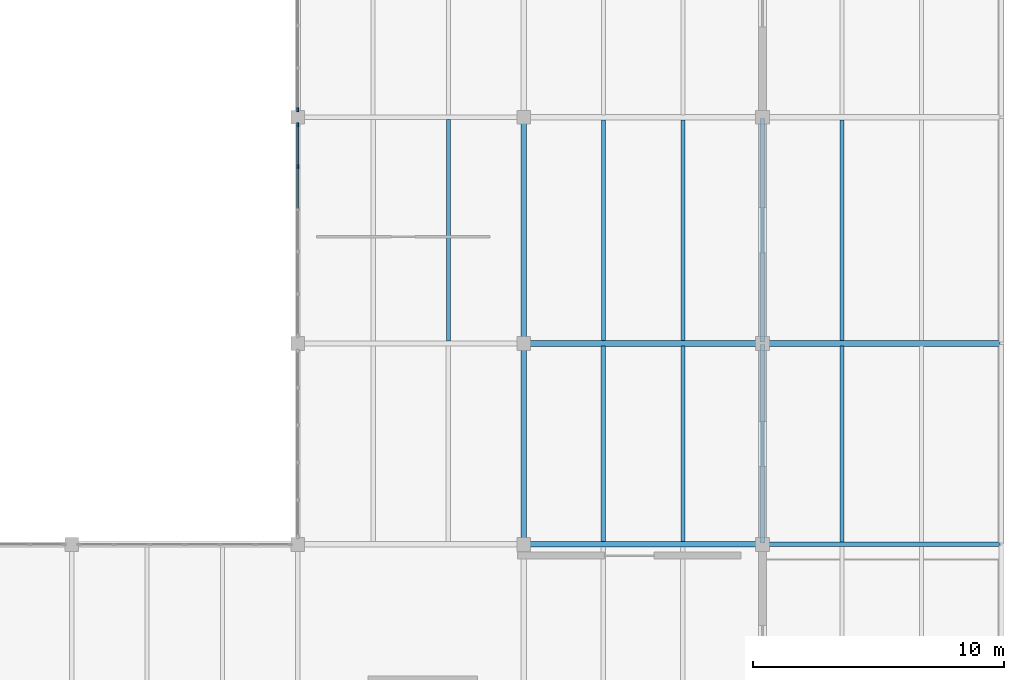
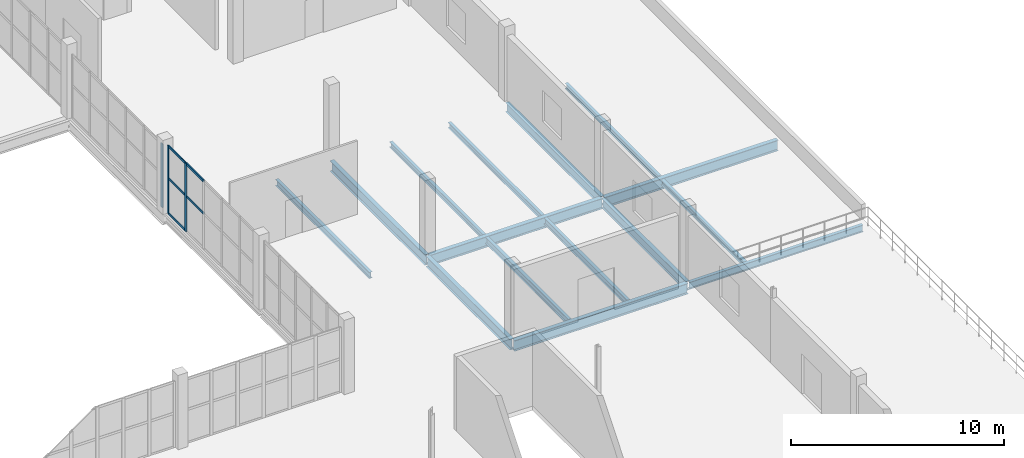
# One storey, part 29 of 54: 15 beams, 8 members, 2 elements without a shape of their own.
"""IFC4 building model written with IfcOpenShell, lengths in metres."""

from ifc_helpers import new_model, si_unit, direction, frame, origin, origin_2d, place, context, subcontext, project, spatial, rectangle, i_section, extrude, material, layer, layer_set, material_profile, profile_set, type_object, element, aggregate, save


model = new_model("IFC4")

# Units and contexts
model_context = context("Model", 3, precision=1e-05, world=origin(), true_north=direction((0.0, 1.0)))
body_context = subcontext(model_context, "Body", "Model", "MODEL_VIEW")
ifc_project = project(units=[si_unit("LENGTHUNIT", "METRE"), si_unit("AREAUNIT", "SQUARE_METRE"), si_unit("VOLUMEUNIT", "CUBIC_METRE"), si_unit("PLANEANGLEUNIT", "RADIAN"), si_unit("MASSUNIT", "GRAM", prefix="KILO")], contexts=[model_context])

# Site, building, storey
site_placement = place(None, origin())
site = spatial("IfcSite", under=ifc_project, at=site_placement, CompositionType="ELEMENT")
building_placement = place(site_placement, origin())
building = spatial("IfcBuilding", under=site, at=building_placement, Name="Marnock Terrace Opera House", CompositionType="ELEMENT")
storey_placement = place(building_placement, frame((0.0, 0.0, 19.199951171875)))
storey = spatial("IfcBuildingStorey", under=building, at=storey_placement, Name="L04", CompositionType="ELEMENT", Elevation=19.199951171875)

# Beams
ifc_material_1 = material(Name="Steel Grade 350 (AS/NZS 3679.1)", Category="steel")
ifc_material_profile_1 = material_profile(ifc_material_1, i_section(OverallWidth=0.177978515625, OverallDepth=0.402587890625, WebThickness=0.007568359375, FlangeThickness=0.010986328125, FilletRadius=0.011474609375, at=origin_2d()))
ifc_profile_set_1 = profile_set([ifc_material_profile_1], Name="Steel Grade 350 (AS/NZS 3679.1)")
beam_type_1 = type_object("IfcBeamType", Name="BM-GIRD-410", PredefinedType="BEAM", material=ifc_profile_set_1)
beam_1_placement = place(storey_placement, frame((154.550048828125, 40.0, -0.47119140625), z_axis=(1.0, 0.0, 0.0), x_axis=(0.0, 1.0, 0.0)))
element("IfcBeam", 1, at=beam_1_placement, inside=storey, type_object=beam_type_1, Name="L04 girder (154.5..164.0, Y=40.0)", PredefinedType="BEAM", context=body_context, shape_type="SweptSolid", body=[
    extrude(i_section(OverallWidth=0.177978515625, OverallDepth=0.402587890625, WebThickness=0.007568359375, FlangeThickness=0.010986328125, FilletRadius=0.011474609375, at=origin_2d()), origin(), (0.0, 0.0, 1.0), 9.39990234375),
])
ifc_material_profile_2 = material_profile(ifc_material_1, i_section(OverallWidth=0.208984375, OverallDepth=0.528076171875, WebThickness=0.009521484375, FlangeThickness=0.01318359375, FilletRadius=0.013916015625, at=origin_2d()))
ifc_profile_set_2 = profile_set([ifc_material_profile_2], Name="Steel Grade 350 (AS/NZS 3679.1)")
beam_type_2 = type_object("IfcBeamType", Name="BM-GIRD-530B", PredefinedType="BEAM", material=ifc_profile_set_2)
beam_2_placement = place(storey_placement, frame((154.5, 40.050048828125, -0.533935546875), z_axis=(0.0, 1.0, 0.0), x_axis=(-1.0, 0.0, 0.0)))
element("IfcBeam", 2, at=beam_2_placement, inside=storey, type_object=beam_type_2, Name="L04 girder (X=154.5, 40.0..48.0)", PredefinedType="BEAM", context=body_context, shape_type="SweptSolid", body=[
    extrude(i_section(OverallWidth=0.208984375, OverallDepth=0.528076171875, WebThickness=0.009521484375, FlangeThickness=0.01318359375, FilletRadius=0.013916015625, at=origin_2d()), origin(), (0.0, 0.0, 1.0), 7.89990234375),
])
beam_3_placement = place(storey_placement, frame((154.5, 48.050048828125, -0.513916015625), z_axis=(0.0, 1.0, 0.0), x_axis=(-1.0, 0.0, 0.0)))
element("IfcBeam", 3, at=beam_3_placement, inside=storey, type_object=beam_type_2, Name="L04 girder (X=154.5, 48.0..57.0)", PredefinedType="BEAM", context=body_context, shape_type="SweptSolid", body=[
    extrude(i_section(OverallWidth=0.208984375, OverallDepth=0.528076171875, WebThickness=0.009521484375, FlangeThickness=0.01318359375, FilletRadius=0.013916015625, at=origin_2d()), origin(), (0.0, 0.0, 1.0), 8.89990234375),
])
ifc_material_profile_3 = material_profile(ifc_material_1, i_section(OverallWidth=0.22900390625, OverallDepth=0.611572265625, WebThickness=0.011962890625, FlangeThickness=0.01953125, FilletRadius=0.013916015625, at=origin_2d()))
ifc_profile_set_3 = profile_set([ifc_material_profile_3], Name="Steel Grade 350 (AS/NZS 3679.1)")
beam_type_3 = type_object("IfcBeamType", Name="BM-GIRD-610A", PredefinedType="BEAM", material=ifc_profile_set_3)
for number, where, z_axis, x_axis, name in (
    (4, (145.050048828125, 40.0, -0.57568359375), (1.0, 0.0, 0.0), (0.0, 1.0, 0.0), "L04 girder (145.0..154.5, Y=40.0)"),
    (5, (154.550048828125, 48.0, -0.5556640625), (1.0, 0.0, 0.0), (0.0, 1.0, 0.0), "L04 girder (154.5..164.0, Y=48.0)"),
):
    element("IfcBeam", number, at=place(storey_placement, frame(where, z_axis=z_axis, x_axis=x_axis)), inside=storey, type_object=beam_type_3, Name=name, PredefinedType="BEAM", context=body_context, shape_type="SweptSolid", body=[
        extrude(i_section(OverallWidth=0.22900390625, OverallDepth=0.611572265625, WebThickness=0.011962890625, FlangeThickness=0.01953125, FilletRadius=0.013916015625, at=origin_2d()), origin(), (0.0, 0.0, 1.0), 9.39990234375),
    ])
ifc_material_profile_4 = material_profile(ifc_material_1, i_section(OverallWidth=0.22802734375, OverallDepth=0.60693359375, WebThickness=0.01123046875, FlangeThickness=0.017333984375, FilletRadius=0.013916015625, at=origin_2d()))
ifc_profile_set_4 = profile_set([ifc_material_profile_4], Name="Steel Grade 350 (AS/NZS 3679.1)")
beam_type_4 = type_object("IfcBeamType", Name="BM-GIRD-610B", PredefinedType="BEAM", material=ifc_profile_set_4)
beam_4_placement = place(storey_placement, frame((145.050048828125, 48.0, -0.553466796875), z_axis=(1.0, 0.0, 0.0), x_axis=(0.0, 1.0, 0.0)))
element("IfcBeam", 6, at=beam_4_placement, inside=storey, type_object=beam_type_4, Name="L04 girder (145.0..154.5, Y=48.0)", PredefinedType="BEAM", context=body_context, shape_type="SweptSolid", body=[
    extrude(i_section(OverallWidth=0.22802734375, OverallDepth=0.60693359375, WebThickness=0.01123046875, FlangeThickness=0.017333984375, FilletRadius=0.013916015625, at=origin_2d()), origin(), (0.0, 0.0, 1.0), 9.39990234375),
])
ifc_material_profile_5 = material_profile(ifc_material_1, i_section(OverallWidth=0.22802734375, OverallDepth=0.60205078125, WebThickness=0.010498046875, FlangeThickness=0.014892578125, FilletRadius=0.013916015625, at=origin_2d()))
ifc_profile_set_5 = profile_set([ifc_material_profile_5], Name="Steel Grade 350 (AS/NZS 3679.1)")
beam_type_5 = type_object("IfcBeamType", Name="BM-GIRD-610C", PredefinedType="BEAM", material=ifc_profile_set_5)
beam_5_placement = place(storey_placement, frame((145.0, 40.050048828125, -0.551025390625), z_axis=(0.0, 1.0, 0.0), x_axis=(-1.0, 0.0, 0.0)))
element("IfcBeam", 7, at=beam_5_placement, inside=storey, type_object=beam_type_5, Name="L04 girder (X=145.0, 40.0..48.0)", PredefinedType="BEAM", context=body_context, shape_type="SweptSolid", body=[
    extrude(i_section(OverallWidth=0.22802734375, OverallDepth=0.60205078125, WebThickness=0.010498046875, FlangeThickness=0.014892578125, FilletRadius=0.013916015625, at=origin_2d()), origin(), (0.0, 0.0, 1.0), 7.89990234375),
])
beam_6_placement = place(storey_placement, frame((145.0, 48.050048828125, -0.551025390625), z_axis=(0.0, 1.0, 0.0), x_axis=(-1.0, 0.0, 0.0)))
element("IfcBeam", 8, at=beam_6_placement, inside=storey, type_object=beam_type_5, Name="L04 girder (X=145.0, 48.0..57.0)", PredefinedType="BEAM", context=body_context, shape_type="SweptSolid", body=[
    extrude(i_section(OverallWidth=0.22802734375, OverallDepth=0.60205078125, WebThickness=0.010498046875, FlangeThickness=0.014892578125, FilletRadius=0.013916015625, at=origin_2d()), origin(), (0.0, 0.0, 1.0), 8.89990234375),
])
ifc_material_profile_6 = material_profile(ifc_material_1, i_section(OverallWidth=0.166015625, OverallDepth=0.30712890625, WebThickness=0.006591796875, FlangeThickness=0.01171875, FilletRadius=0.011474609375, at=origin_2d()))
ifc_profile_set_6 = profile_set([ifc_material_profile_6], Name="Steel Grade 350 (AS/NZS 3679.1)")
beam_type_6 = type_object("IfcBeamType", Name="BM-JOIST-310A", PredefinedType="JOIST", material=ifc_profile_set_6)
for number, where, z_axis, x_axis, name in (
    (9, (148.166748046875, 48.10888671875, -0.403564453125), (0.0, 1.0, 0.0), (-1.0, 0.0, 0.0), "L04 secondary joist 16.6.1"),
    (10, (151.333251953125, 48.10888671875, -0.403564453125), (0.0, 1.0, 0.0), (-1.0, 0.0, 0.0), "L04 secondary joist 16.6.2"),
):
    element("IfcBeam", number, at=place(storey_placement, frame(where, z_axis=z_axis, x_axis=x_axis)), inside=storey, type_object=beam_type_6, Name=name, PredefinedType="JOIST", context=body_context, shape_type="SweptSolid", body=[
        extrude(i_section(OverallWidth=0.166015625, OverallDepth=0.30712890625, WebThickness=0.006591796875, FlangeThickness=0.01171875, FilletRadius=0.011474609375, at=origin_2d()), origin(), (0.0, 0.0, 1.0), 8.79150390625),
    ])
beam_7_placement = place(storey_placement, frame((157.666748046875, 40.083984375, -0.423583984375), z_axis=(0.0, 1.0, 0.0), x_axis=(-1.0, 0.0, 0.0)))
element("IfcBeam", 11, at=beam_7_placement, inside=storey, type_object=beam_type_6, Name="L04 secondary joist 17.5.1", PredefinedType="JOIST", context=body_context, shape_type="SweptSolid", body=[
    extrude(i_section(OverallWidth=0.166015625, OverallDepth=0.30712890625, WebThickness=0.006591796875, FlangeThickness=0.01171875, FilletRadius=0.011474609375, at=origin_2d()), origin(), (0.0, 0.0, 1.0), 7.806396484375),
])
ifc_material_profile_7 = material_profile(ifc_material_1, i_section(OverallWidth=0.1650390625, OverallDepth=0.3037109375, WebThickness=0.006103515625, FlangeThickness=0.01025390625, FilletRadius=0.011474609375, at=origin_2d()))
ifc_profile_set_7 = profile_set([ifc_material_profile_7], Name="Steel Grade 350 (AS/NZS 3679.1)")
beam_type_7 = type_object("IfcBeamType", Name="BM-JOIST-310B", PredefinedType="JOIST", material=ifc_profile_set_7)
beam_8_placement = place(storey_placement, frame((157.666748046875, 48.109619140625, -0.371826171875), z_axis=(0.0, 1.0, 0.0), x_axis=(-1.0, 0.0, 0.0)))
element("IfcBeam", 12, at=beam_8_placement, inside=storey, type_object=beam_type_7, Name="L04 secondary joist 17.6.1", PredefinedType="JOIST", context=body_context, shape_type="SweptSolid", body=[
    extrude(i_section(OverallWidth=0.1650390625, OverallDepth=0.3037109375, WebThickness=0.006103515625, FlangeThickness=0.01025390625, FilletRadius=0.011474609375, at=origin_2d()), origin(), (0.0, 0.0, 1.0), 8.781494140625),
])
ifc_material_profile_8 = material_profile(ifc_material_1, i_section(OverallWidth=0.172119140625, OverallDepth=0.358642578125, WebThickness=0.008056640625, FlangeThickness=0.012939453125, FilletRadius=0.011474609375, at=origin_2d()))
ifc_profile_set_8 = profile_set([ifc_material_profile_8], Name="Steel Grade 350 (AS/NZS 3679.1)")
beam_type_8 = type_object("IfcBeamType", Name="BM-JOIST-360", PredefinedType="JOIST", material=ifc_profile_set_8)
beam_9_placement = place(storey_placement, frame((142.0, 48.099609375, -0.42919921875), z_axis=(0.0, 1.0, 0.0), x_axis=(-1.0, 0.0, 0.0)))
element("IfcBeam", 13, at=beam_9_placement, inside=storey, type_object=beam_type_8, Name="L04 secondary joist 15.6.2", PredefinedType="JOIST", context=body_context, shape_type="SweptSolid", body=[
    extrude(i_section(OverallWidth=0.172119140625, OverallDepth=0.358642578125, WebThickness=0.008056640625, FlangeThickness=0.012939453125, FilletRadius=0.011474609375, at=origin_2d()), origin(), (0.0, 0.0, 1.0), 8.809814453125),
])
for number, where, z_axis, x_axis, name in (
    (14, (148.166748046875, 40.109619140625, -0.42919921875), (0.0, 1.0, 0.0), (-1.0, 0.0, 0.0), "L04 secondary joist 16.5.1"),
    (15, (151.333251953125, 40.109619140625, -0.42919921875), (0.0, 1.0, 0.0), (-1.0, 0.0, 0.0), "L04 secondary joist 16.5.2"),
):
    element("IfcBeam", number, at=place(storey_placement, frame(where, z_axis=z_axis, x_axis=x_axis)), inside=storey, type_object=beam_type_8, Name=name, PredefinedType="JOIST", context=body_context, shape_type="SweptSolid", body=[
        extrude(i_section(OverallWidth=0.172119140625, OverallDepth=0.358642578125, WebThickness=0.008056640625, FlangeThickness=0.012939453125, FilletRadius=0.011474609375, at=origin_2d()), origin(), (0.0, 0.0, 1.0), 7.781494140625),
    ])

# Curtain wall, members
ifc_material_2 = material(Name="Anodised architectural bronze aluminium framing", Category="aluminium")
ifc_layer = layer(ifc_material_2, 0.159912109375)
ifc_layer_set = layer_set([ifc_layer], Name="Anodised architectural bronze aluminium framing")
curtain_wall_type = type_object("IfcCurtainWallType", Name="CW-DRUM-71x39", PredefinedType="NOTDEFINED", material=ifc_layer_set)
curtain_wall_1_placement = place(storey_placement, origin())
curtain_wall_1 = element("IfcCurtainWall", 16, at=curtain_wall_1_placement, inside=storey, type_object=curtain_wall_type, Name="L04 glazed Beaux-Arts colonnade curtain wall CW-L04-V5C2", PredefinedType="NOTDEFINED")
ifc_material_profile_9 = material_profile(ifc_material_2, rectangle(XDim=0.06005859375, YDim=0.14990234375, at=origin_2d()))
ifc_profile_set_9 = profile_set([ifc_material_profile_9], Name="Anodised architectural bronze aluminium framing")
member_type_1 = type_object("IfcMemberType", Name="CWM-60x150", PredefinedType="MULLION", material=ifc_profile_set_9)
member_1_placement = place(storey_placement, frame((136.0, 55.037353515625, 0.0), z_axis=(0.0, 0.0, 1.0), x_axis=(-1.0, 0.0, 0.0)))
member_1 = element("IfcMember", 17, at=member_1_placement, type_object=member_type_1, Name="CW-76 mullion 5", PredefinedType="MULLION", context=body_context, shape_type="SweptSolid", body=[
    extrude(rectangle(XDim=0.06005859375, YDim=0.14990234375, at=origin_2d()), origin(), (0.0, 0.0, 1.0), 3.89453125),
])
member_2_placement = place(storey_placement, frame((136.0, 56.698974609375, 0.0), z_axis=(0.0, 0.0, 1.0), x_axis=(-1.0, 0.0, 0.0)))
member_2 = element("IfcMember", 18, at=member_2_placement, type_object=member_type_1, Name="CW-76 mullion 6", PredefinedType="MULLION", context=body_context, shape_type="SweptSolid", body=[
    extrude(rectangle(XDim=0.06005859375, YDim=0.14990234375, at=origin_2d()), origin(), (0.0, 0.0, 1.0), 3.89453125),
])

# Curtain wall, member
curtain_wall_2_placement = place(storey_placement, origin())
curtain_wall_2 = element("IfcCurtainWall", 19, at=curtain_wall_2_placement, inside=storey, type_object=curtain_wall_type, Name="L04 glazed Beaux-Arts colonnade curtain wall CW-L04-V5C3", PredefinedType="NOTDEFINED")
member_3_placement = place(storey_placement, frame((136.0, 57.301025390625, 0.0), z_axis=(0.0, 0.0, 1.0), x_axis=(-1.0, 0.0, 0.0)))
member_3 = element("IfcMember", 20, at=member_3_placement, type_object=member_type_1, Name="CW-76 mullion 1", PredefinedType="MULLION", context=body_context, shape_type="SweptSolid", body=[
    extrude(rectangle(XDim=0.06005859375, YDim=0.14990234375, at=origin_2d()), origin(), (0.0, 0.0, 1.0), 3.64794921875),
])
aggregate(curtain_wall_2, [member_3])

# Member
ifc_material_profile_10 = material_profile(ifc_material_2, rectangle(XDim=0.06005859375, YDim=0.1298828125, at=origin_2d()))
ifc_profile_set_10 = profile_set([ifc_material_profile_10], Name="Anodised architectural bronze aluminium framing")
member_type_2 = type_object("IfcMemberType", Name="CWT-60x130", PredefinedType="USERDEFINED", material=ifc_profile_set_10)
member_4_placement = place(storey_placement, frame((136.0, 53.375732421875, 2.025146484375), z_axis=(0.0, 1.0, 0.0), x_axis=(-1.0, 0.0, 0.0)))
member_4 = element("IfcMember", 21, at=member_4_placement, type_object=member_type_2, Name="CW-76 transom 4.2", ObjectType="TRANSOM", PredefinedType="USERDEFINED", context=body_context, shape_type="SweptSolid", body=[
    extrude(rectangle(XDim=0.06005859375, YDim=0.1298828125, at=origin_2d()), origin(), (0.0, 0.0, 1.0), 1.631591796875),
])

member_5_placement = place(storey_placement, frame((136.0, 53.375732421875, 3.864501953125), z_axis=(0.0, 1.0, 0.0), x_axis=(-1.0, 0.0, 0.0)))
member_5 = element("IfcMember", 22, at=member_5_placement, type_object=member_type_2, Name="CW-76 transom 4.3", ObjectType="TRANSOM", PredefinedType="USERDEFINED", context=body_context, shape_type="SweptSolid", body=[
    extrude(rectangle(XDim=0.06005859375, YDim=0.1298828125, at=origin_2d()), origin(), (0.0, 0.0, 1.0), 1.631591796875),
])

member_6_placement = place(storey_placement, frame((136.0, 55.0673828125, 0.030029296875), z_axis=(0.0, 1.0, 0.0), x_axis=(-1.0, 0.0, 0.0)))
member_6 = element("IfcMember", 23, at=member_6_placement, type_object=member_type_2, Name="CW-76 transom 5.1", ObjectType="TRANSOM", PredefinedType="USERDEFINED", context=body_context, shape_type="SweptSolid", body=[
    extrude(rectangle(XDim=0.06005859375, YDim=0.1298828125, at=origin_2d()), origin(), (0.0, 0.0, 1.0), 1.6015625),
])

member_7_placement = place(storey_placement, frame((136.0, 55.0673828125, 2.025146484375), z_axis=(0.0, 1.0, 0.0), x_axis=(-1.0, 0.0, 0.0)))
member_7 = element("IfcMember", 24, at=member_7_placement, type_object=member_type_2, Name="CW-76 transom 5.2", ObjectType="TRANSOM", PredefinedType="USERDEFINED", context=body_context, shape_type="SweptSolid", body=[
    extrude(rectangle(XDim=0.06005859375, YDim=0.1298828125, at=origin_2d()), origin(), (0.0, 0.0, 1.0), 1.6015625),
])

member_8_placement = place(storey_placement, frame((136.0, 55.0673828125, 3.864501953125), z_axis=(0.0, 1.0, 0.0), x_axis=(-1.0, 0.0, 0.0)))
member_8 = element("IfcMember", 25, at=member_8_placement, type_object=member_type_2, Name="CW-76 transom 5.3", ObjectType="TRANSOM", PredefinedType="USERDEFINED", context=body_context, shape_type="SweptSolid", body=[
    extrude(rectangle(XDim=0.06005859375, YDim=0.1298828125, at=origin_2d()), origin(), (0.0, 0.0, 1.0), 1.6015625),
])

aggregate(curtain_wall_1, [member_1, member_2, member_4, member_5, member_6, member_7, member_8])

save(model, "model.ifc")
